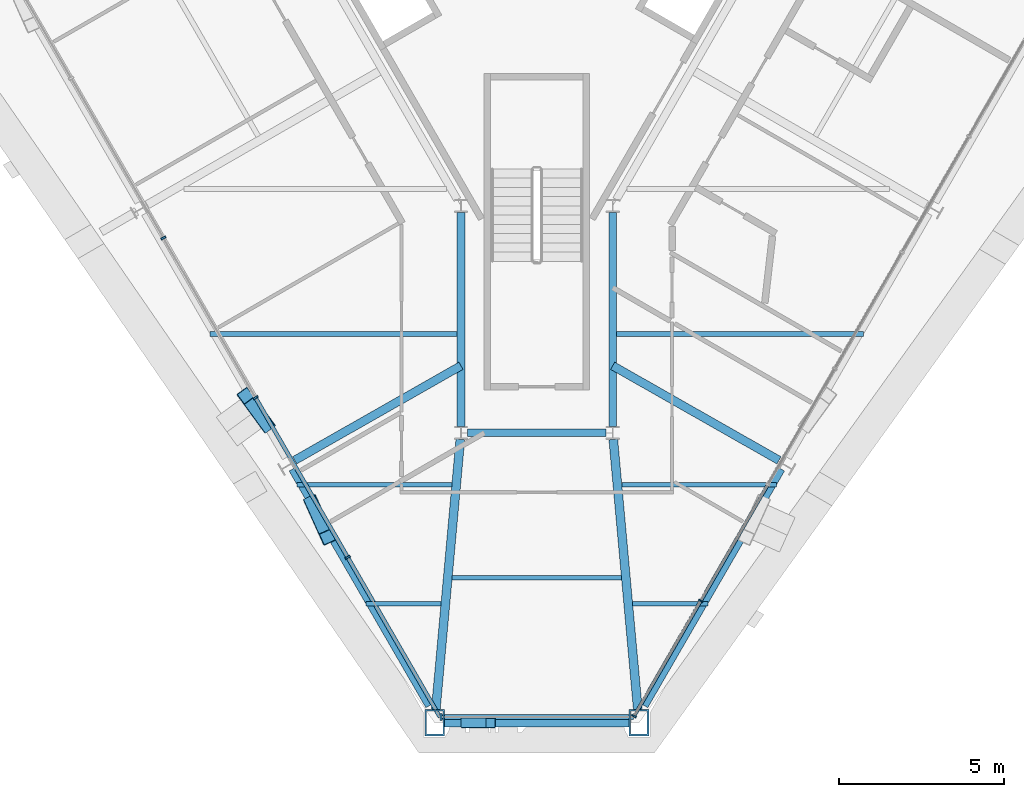
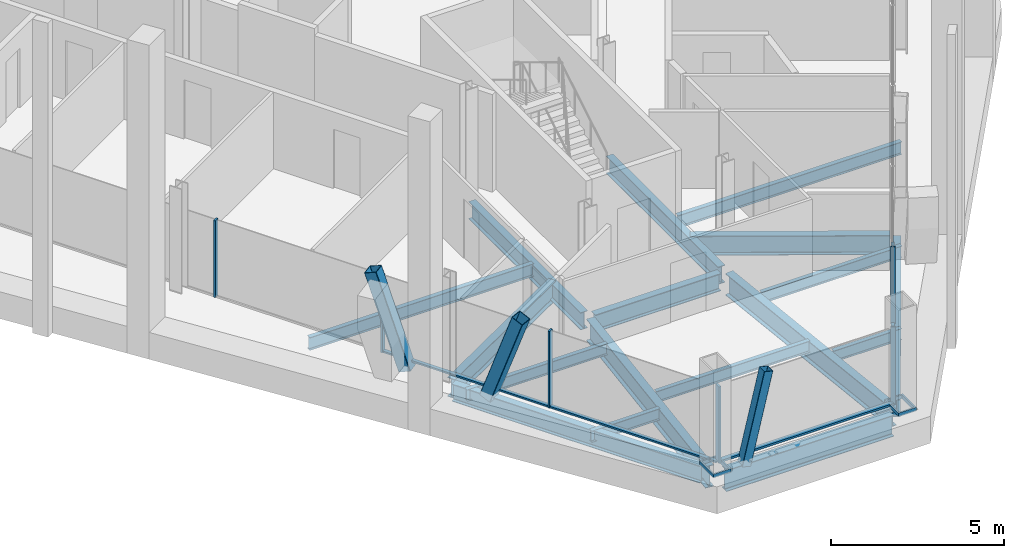
# One storey, part 3 of 16: 17 beams, 16 members, 3 elements without a shape of their own.
"""IFC4 building model written with IfcOpenShell, lengths in metres."""

from ifc_helpers import new_model, si_unit, direction, frame, origin, origin_2d, place, context, subcontext, project, spatial, rectangle, hollow_rectangle, i_section, extrude, material, material_profile, profile_set, type_object, element, aggregate, save


model = new_model("IFC4")

# Units and contexts
model_context = context("Model", 3, precision=1e-05, world=origin(), true_north=direction((0.0, 1.0)))
body_context = subcontext(model_context, "Body", "Model", "MODEL_VIEW")
ifc_project = project(units=[si_unit("LENGTHUNIT", "METRE"), si_unit("AREAUNIT", "SQUARE_METRE"), si_unit("VOLUMEUNIT", "CUBIC_METRE"), si_unit("PLANEANGLEUNIT", "RADIAN"), si_unit("MASSUNIT", "GRAM", prefix="KILO")], contexts=[model_context])

# Site, building, storey
site_placement = place(None, origin())
site = spatial("IfcSite", under=ifc_project, at=site_placement, CompositionType="ELEMENT")
building_placement = place(site_placement, origin())
building = spatial("IfcBuilding", under=site, at=building_placement, Name="Verrane Prism Tower", CompositionType="ELEMENT")
storey_placement = place(building_placement, frame((0.0, 0.0, 236.0)))
storey = spatial("IfcBuildingStorey", under=building, at=storey_placement, Name="L59", CompositionType="ELEMENT", Elevation=236.0)

# Member
ifc_material_1 = material(Name="Steel A500 Grade C", Category="steel")
ifc_material_profile_1 = material_profile(ifc_material_1, hollow_rectangle(XDim=0.3046875, YDim=0.3046875, WallThickness=0.0126953125, InnerFilletRadius=0.00634765625, OuterFilletRadius=0.01904296875, at=origin_2d()), Name="HSS12x12x1/2")
ifc_profile_set_1 = profile_set([ifc_material_profile_1], Name="Steel A500 Grade C")
member_type_1 = type_object("IfcMemberType", Name="Chamfer brace HSS12x12x1/2", PredefinedType="BRACE", material=ifc_profile_set_1)
member_1_placement = place(storey_placement, frame((-2.1435546875, -27.68994140625, -0.24267578125), z_axis=(0.232835531532, 0.0, 0.972516125962), x_axis=(0.0, 1.0, 0.0)))
element("IfcMember", 1, at=member_1_placement, inside=storey, type_object=member_type_1, Name="Chamfer brace S0 L59", PredefinedType="BRACE", context=body_context, shape_type="SweptSolid", body=[
    extrude(hollow_rectangle(XDim=0.3046875, YDim=0.3046875, WallThickness=0.0126953125, InnerFilletRadius=0.00634765625, OuterFilletRadius=0.01904296875, at=origin_2d()), origin(), (0.0, 0.0, 1.0), 3.196044921875),
])

# Beams
ifc_material_2 = material(Name="Steel A992", Category="steel")
ifc_material_profile_2 = material_profile(ifc_material_2, i_section(OverallWidth=0.2666015625, OverallDepth=0.7568359375, WebThickness=0.013916015625, FlangeThickness=0.019287109375, FilletRadius=0.0166015625, at=origin_2d()), Name="W30x108")
ifc_profile_set_2 = profile_set([ifc_material_profile_2], Name="Steel A992")
beam_type_1 = type_object("IfcBeamType", Name="Chamfer spandrel beam W30x108", PredefinedType="SPANDREL", material=ifc_profile_set_2)
beam_1_placement = place(storey_placement, frame((-2.800048828125, -27.68994140625, -0.53857421875), z_axis=(1.0, 0.0, 0.0), x_axis=(0.0, 1.0, 0.0)))
element("IfcBeam", 2, at=beam_1_placement, inside=storey, type_object=beam_type_1, Name="Chamfer spandrel beam L59", PredefinedType="SPANDREL", context=body_context, shape_type="SweptSolid", body=[
    extrude(i_section(OverallWidth=0.2666015625, OverallDepth=0.7568359375, WebThickness=0.013916015625, FlangeThickness=0.019287109375, FilletRadius=0.0166015625, at=origin_2d()), origin(), (0.0, 0.0, 1.0), 5.60009765625),
])
ifc_material_3 = material(Name="Steel A992", Category="steel")
ifc_material_profile_3 = material_profile(ifc_material_3, i_section(OverallWidth=0.23046875, OverallDepth=0.6171875, WebThickness=0.01318359375, FlangeThickness=0.022216796875, FilletRadius=0.012939453125, at=origin_2d()), Name="W24x94")
ifc_profile_set_3 = profile_set([ifc_material_profile_3], Name="Steel A992")
beam_type_2 = type_object("IfcBeamType", Name="Core ring girder W24x94", PredefinedType="BEAM", material=ifc_profile_set_3)
beam_2_placement = place(storey_placement, frame((-2.300048828125, -12.212890625, -0.55859375), z_axis=(0.0, -1.0, 0.0), x_axis=(1.0, 0.0, 0.0)))
element("IfcBeam", 3, at=beam_2_placement, inside=storey, type_object=beam_type_2, Name="Core ring girder L59", PredefinedType="BEAM", context=body_context, shape_type="SweptSolid", body=[
    extrude(i_section(OverallWidth=0.23046875, OverallDepth=0.6171875, WebThickness=0.01318359375, FlangeThickness=0.022216796875, FilletRadius=0.012939453125, at=origin_2d()), origin(), (0.0, 0.0, 1.0), 6.48779296875),
])
beam_3_placement = place(storey_placement, frame((-2.099365234375, -18.89990234375, -0.55859375), z_axis=(1.0, 0.0, 0.0), x_axis=(0.0, 1.0, 0.0)))
element("IfcBeam", 4, at=beam_3_placement, inside=storey, type_object=beam_type_2, Name="Core ring girder L59", PredefinedType="BEAM", context=body_context, shape_type="SweptSolid", body=[
    extrude(i_section(OverallWidth=0.23046875, OverallDepth=0.6171875, WebThickness=0.01318359375, FlangeThickness=0.022216796875, FilletRadius=0.012939453125, at=origin_2d()), origin(), (0.0, 0.0, 1.0), 4.19873046875),
])
beam_4_placement = place(storey_placement, frame((2.300048828125, -18.70068359375, -0.55859375), z_axis=(0.0, 1.0, 0.0), x_axis=(-1.0, 0.0, 0.0)))
element("IfcBeam", 5, at=beam_4_placement, inside=storey, type_object=beam_type_2, Name="Core ring girder L59", PredefinedType="BEAM", context=body_context, shape_type="SweptSolid", body=[
    extrude(i_section(OverallWidth=0.23046875, OverallDepth=0.6171875, WebThickness=0.01318359375, FlangeThickness=0.022216796875, FilletRadius=0.012939453125, at=origin_2d()), origin(), (0.0, 0.0, 1.0), 6.48779296875),
])
ifc_material_4 = material(Name="Steel A992", Category="steel")
ifc_material_profile_4 = material_profile(ifc_material_4, i_section(OverallWidth=0.2666015625, OverallDepth=0.76708984375, WebThickness=0.014892578125, FlangeThickness=0.023681640625, FilletRadius=0.0166015625, at=origin_2d()), Name="W30x124")
ifc_profile_set_4 = profile_set([ifc_material_profile_4], Name="Steel A992")
beam_type_3 = type_object("IfcBeamType", Name="Corner girder W30x124", PredefinedType="BEAM", material=ifc_profile_set_4)
for number, where, z_axis, x_axis, name in (
    (6, (-3.063720703125, -27.2900390625, -0.603515625), (0.090656186222, 0.995882250017, 0.0), (-0.995882250017, 0.090656186222, 0.0), "Corner girder L59"),
    (7, (3.063720703125, -27.2900390625, -0.603515625), (-0.090656186222, 0.995882250017, 0.0), (-0.995882250017, -0.090656186222, 0.0), "Corner girder L59"),
):
    element("IfcBeam", number, at=place(storey_placement, frame(where, z_axis=z_axis, x_axis=x_axis)), inside=storey, type_object=beam_type_3, Name=name, PredefinedType="BEAM", context=body_context, shape_type="SweptSolid", body=[
        extrude(i_section(OverallWidth=0.2666015625, OverallDepth=0.76708984375, WebThickness=0.014892578125, FlangeThickness=0.023681640625, FilletRadius=0.0166015625, at=origin_2d()), origin(), (0.0, 0.0, 1.0), 8.224609375),
    ])

# Members
ifc_material_5 = material(Name="Steel A500 Grade C", Category="steel")
ifc_material_profile_5 = material_profile(ifc_material_5, hollow_rectangle(XDim=0.406494140625, YDim=0.406494140625, WallThickness=0.01904296875, InnerFilletRadius=0.009521484375, OuterFilletRadius=0.028564453125, at=origin_2d()), Name="HSS16x16x3/4")
ifc_profile_set_5 = profile_set([ifc_material_profile_5], Name="Steel A500 Grade C")
member_type_2 = type_object("IfcMemberType", Name="Facade brace HSS16x16x3/4", PredefinedType="BRACE", material=ifc_profile_set_5)
member_2_placement = place(storey_placement, frame((-8.18994140625, -18.6474609375, -0.216796875), z_axis=(-0.188978192482, 0.259012989696, 0.947206162319), x_axis=(-0.807837409628, -0.589405394958, 0.0)))
element("IfcMember", 8, at=member_2_placement, inside=storey, type_object=member_type_2, Name="Facade brace SW3 L59", PredefinedType="BRACE", context=body_context, shape_type="SweptSolid", body=[
    extrude(hollow_rectangle(XDim=0.406494140625, YDim=0.406494140625, WallThickness=0.01904296875, InnerFilletRadius=0.009521484375, OuterFilletRadius=0.028564453125, at=origin_2d()), origin(), (0.0, 0.0, 1.0), 3.37451171875),
])
member_3_placement = place(storey_placement, frame((-6.824462890625, -21.012451171875, -0.216796875), z_axis=(0.138988500979, -0.308951171514, 0.940867349957), x_axis=(0.911965161742, 0.410267648944, 0.0)))
element("IfcMember", 9, at=member_3_placement, inside=storey, type_object=member_type_2, Name="Facade brace SW4 L59", PredefinedType="BRACE", context=body_context, shape_type="SweptSolid", body=[
    extrude(hollow_rectangle(XDim=0.406494140625, YDim=0.406494140625, WallThickness=0.01904296875, InnerFilletRadius=0.009521484375, OuterFilletRadius=0.028564453125, at=origin_2d()), origin(), (0.0, 0.0, 1.0), 3.397216796875),
])

# Beams
ifc_material_6 = material(Name="Steel A992", Category="steel")
ifc_material_profile_6 = material_profile(ifc_material_6, i_section(OverallWidth=0.140380859375, OverallDepth=0.40380859375, WebThickness=0.007080078125, FlangeThickness=0.01123046875, FilletRadius=0.01025390625, at=origin_2d()), Name="W16x31")
ifc_profile_set_6 = profile_set([ifc_material_profile_6], Name="Steel A992")
beam_type_4 = type_object("IfcBeamType", Name="Floor beam W16x31", PredefinedType="BEAM", material=ifc_profile_set_6)
beam_5_placement = place(storey_placement, frame((-5.18408203125, -24.083251953125, -0.36181640625), z_axis=(1.0, 0.0, 0.0), x_axis=(0.0, 1.0, 0.0)))
element("IfcBeam", 10, at=beam_5_placement, inside=storey, type_object=beam_type_4, Name="Floor beam L59", PredefinedType="BEAM", context=body_context, shape_type="SweptSolid", body=[
    extrude(i_section(OverallWidth=0.140380859375, OverallDepth=0.40380859375, WebThickness=0.007080078125, FlangeThickness=0.01123046875, FilletRadius=0.01025390625, at=origin_2d()), origin(), (0.0, 0.0, 1.0), 2.2783203125),
])
beam_6_placement = place(storey_placement, frame((-7.268310546875, -20.476806640625, -0.36181640625), z_axis=(1.0, 0.0, 0.0), x_axis=(0.0, 1.0, 0.0)))
element("IfcBeam", 11, at=beam_6_placement, inside=storey, type_object=beam_type_4, Name="Floor beam L59", PredefinedType="BEAM", context=body_context, shape_type="SweptSolid", body=[
    extrude(i_section(OverallWidth=0.140380859375, OverallDepth=0.40380859375, WebThickness=0.007080078125, FlangeThickness=0.01123046875, FilletRadius=0.01025390625, at=origin_2d()), origin(), (0.0, 0.0, 1.0), 4.69091796875),
])
beam_7_placement = place(storey_placement, frame((2.90576171875, -24.083251953125, -0.36181640625), z_axis=(1.0, 0.0, 0.0), x_axis=(0.0, 1.0, 0.0)))
element("IfcBeam", 12, at=beam_7_placement, inside=storey, type_object=beam_type_4, Name="Floor beam L59", PredefinedType="BEAM", context=body_context, shape_type="SweptSolid", body=[
    extrude(i_section(OverallWidth=0.140380859375, OverallDepth=0.40380859375, WebThickness=0.007080078125, FlangeThickness=0.01123046875, FilletRadius=0.01025390625, at=origin_2d()), origin(), (0.0, 0.0, 1.0), 2.2783203125),
])
beam_8_placement = place(storey_placement, frame((2.577392578125, -20.476806640625, -0.36181640625), z_axis=(1.0, 0.0, 0.0), x_axis=(0.0, 1.0, 0.0)))
element("IfcBeam", 13, at=beam_8_placement, inside=storey, type_object=beam_type_4, Name="Floor beam L59", PredefinedType="BEAM", context=body_context, shape_type="SweptSolid", body=[
    extrude(i_section(OverallWidth=0.140380859375, OverallDepth=0.40380859375, WebThickness=0.007080078125, FlangeThickness=0.01123046875, FilletRadius=0.01025390625, at=origin_2d()), origin(), (0.0, 0.0, 1.0), 4.69091796875),
])
beam_9_placement = place(storey_placement, frame((-2.56591796875, -23.294921875, -0.36181640625), z_axis=(1.0, 0.0, 0.0), x_axis=(0.0, 1.0, 0.0)))
element("IfcBeam", 14, at=beam_9_placement, inside=storey, type_object=beam_type_4, Name="Floor beam L59", PredefinedType="BEAM", context=body_context, shape_type="SweptSolid", body=[
    extrude(i_section(OverallWidth=0.140380859375, OverallDepth=0.40380859375, WebThickness=0.007080078125, FlangeThickness=0.01123046875, FilletRadius=0.01025390625, at=origin_2d()), origin(), (0.0, 0.0, 1.0), 5.1318359375),
])
ifc_material_7 = material(Name="Steel A992", Category="steel")
ifc_material_profile_7 = material_profile(ifc_material_7, i_section(OverallWidth=0.15234375, OverallDepth=0.449462890625, WebThickness=0.007568359375, FlangeThickness=0.0107421875, FilletRadius=0.01025390625, at=origin_2d()), Name="W18x35")
ifc_profile_set_7 = profile_set([ifc_material_profile_7], Name="Steel A992")
beam_type_5 = type_object("IfcBeamType", Name="Floor beam W18x35", PredefinedType="BEAM", material=ifc_profile_set_7)
for number, where, z_axis, x_axis, name in (
    (15, (-9.902099609375, -15.909912109375, -0.384765625), (1.0, 0.0, 0.0), (0.0, 1.0, 0.0), "Floor beam L59"),
    (16, (2.4150390625, -15.909912109375, -0.384765625), (1.0, 0.0, 0.0), (0.0, 1.0, 0.0), "Floor beam L59"),
):
    element("IfcBeam", number, at=place(storey_placement, frame(where, z_axis=z_axis, x_axis=x_axis)), inside=storey, type_object=beam_type_5, Name=name, PredefinedType="BEAM", context=body_context, shape_type="SweptSolid", body=[
        extrude(i_section(OverallWidth=0.15234375, OverallDepth=0.449462890625, WebThickness=0.007568359375, FlangeThickness=0.0107421875, FilletRadius=0.01025390625, at=origin_2d()), origin(), (0.0, 0.0, 1.0), 7.487060546875),
    ])

# Members
ifc_material_8 = material(Name="Steel A572 Grade 50", Category="steel")
ifc_material_profile_8 = material_profile(ifc_material_8, hollow_rectangle(XDim=0.60009765625, YDim=0.800048828125, WallThickness=0.050048828125, at=origin_2d()), Name="BOX 800x600x50")
ifc_profile_set_8 = profile_set([ifc_material_profile_8], Name="Steel A572 Grade 50")
member_type_3 = type_object("IfcMemberType", Name="Kink node BOX 800x600x50", PredefinedType="COLLAR", material=ifc_profile_set_8)
for number, where, z_axis, x_axis, name in (
    (17, (-3.096435546875, -27.683837890625, -0.06494140625), (0.0, 0.0, 1.0), (-1.0, 0.0, 0.0), "Kink node MC4 L59"),
    (18, (3.096435546875, -27.683837890625, -0.06494140625), (0.0, 0.0, 1.0), (-1.0, 0.0, 0.0), "Kink node MC4 L59"),
):
    element("IfcMember", number, at=place(storey_placement, frame(where, z_axis=z_axis, x_axis=x_axis)), inside=storey, type_object=member_type_3, Name=name, PredefinedType="COLLAR", context=body_context, shape_type="SweptSolid", body=[
        extrude(hollow_rectangle(XDim=0.60009765625, YDim=0.800048828125, WallThickness=0.050048828125, at=origin_2d()), origin(), (0.0, 0.0, 1.0), 0.1298828125),
    ])

# Curtain wall, members
ifc_material_9 = material(Name="Aluminium framed insulated glazing", Category="aluminium")
curtain_wall_type_1 = type_object("IfcCurtainWallType", Name="Curtain wall CW-C 4200 module", PredefinedType="NOTDEFINED", material=ifc_material_9)
curtain_wall_1_placement = place(storey_placement, origin())
curtain_wall_1 = element("IfcCurtainWall", 19, at=curtain_wall_1_placement, inside=storey, type_object=curtain_wall_type_1, Name="Glazed curtain wall south-east face L59", PredefinedType="NOTDEFINED")
ifc_material_10 = material(Name="Aluminium alloy 6063-T6", Category="aluminium")
ifc_material_profile_9 = material_profile(ifc_material_10, rectangle(XDim=0.139892578125, YDim=0.050048828125, at=origin_2d()), Name="Mullion 50x140 aluminium")
ifc_profile_set_9 = profile_set([ifc_material_profile_9], Name="Aluminium alloy 6063-T6")
member_type_4 = type_object("IfcMemberType", Name="Mullion 50x140 aluminium", PredefinedType="MULLION", material=ifc_profile_set_9)
member_4_placement = place(storey_placement, frame((2.950439453125, -27.493408203125, 0.0), z_axis=(0.0, 0.0, 1.0), x_axis=(-0.866025759098, 0.499999384578, 0.0)))
member_4 = element("IfcMember", 20, at=member_4_placement, type_object=member_type_4, Name="CW59.6 mullion 1", PredefinedType="MULLION", context=body_context, shape_type="SweptSolid", body=[
    extrude(rectangle(XDim=0.139892578125, YDim=0.050048828125, at=origin_2d()), origin(), (0.0, 0.0, 1.0), 2.712890625),
])
member_5_placement = place(storey_placement, frame((4.970703125, -23.994140625, 0.0), z_axis=(0.0, 0.0, 1.0), x_axis=(-0.866025759098, 0.499999384578, 0.0)))
member_5 = element("IfcMember", 21, at=member_5_placement, type_object=member_type_4, Name="CW59.6 mullion 2", PredefinedType="MULLION", context=body_context, shape_type="SweptSolid", body=[
    extrude(rectangle(XDim=0.139892578125, YDim=0.050048828125, at=origin_2d()), origin(), (0.0, 0.0, 1.0), 2.712890625),
])

ifc_material_11 = material(Name="Aluminium framed insulated glazing", Category="aluminium")
curtain_wall_type_2 = type_object("IfcCurtainWallType", Name="Curtain wall CW-B 5600 module", PredefinedType="NOTDEFINED", material=ifc_material_11)
curtain_wall_2_placement = place(storey_placement, origin())
curtain_wall_2 = element("IfcCurtainWall", 22, at=curtain_wall_2_placement, inside=storey, type_object=curtain_wall_type_2, Name="Glazed curtain wall south-west face L59", PredefinedType="NOTDEFINED")
ifc_material_12 = material(Name="Aluminium alloy 6063-T6", Category="aluminium")
ifc_material_profile_10 = material_profile(ifc_material_12, rectangle(XDim=0.159912109375, YDim=0.06005859375, at=origin_2d()), Name="Mullion 60x160 aluminium")
ifc_profile_set_10 = profile_set([ifc_material_profile_10], Name="Aluminium alloy 6063-T6")
member_type_5 = type_object("IfcMemberType", Name="Mullion 60x160 aluminium", PredefinedType="MULLION", material=ifc_profile_set_10)
member_6_placement = place(storey_placement, frame((-11.32275390625, -12.991943359375, 0.0), z_axis=(0.0, 0.0, 1.0), x_axis=(0.866025759098, 0.499999384578, 0.0)))
member_6 = element("IfcMember", 23, at=member_6_placement, type_object=member_type_5, Name="CW59.4 mullion 6", PredefinedType="MULLION", context=body_context, shape_type="SweptSolid", body=[
    extrude(rectangle(XDim=0.159912109375, YDim=0.06005859375, at=origin_2d()), origin(), (0.0, 0.0, 1.0), 2.712890625),
])
member_7_placement = place(storey_placement, frame((-8.52783203125, -17.8330078125, 0.0), z_axis=(0.0, 0.0, 1.0), x_axis=(0.866025759098, 0.499999384578, 0.0)))
member_7 = element("IfcMember", 24, at=member_7_placement, type_object=member_type_5, Name="CW59.4 mullion 7", PredefinedType="MULLION", context=body_context, shape_type="SweptSolid", body=[
    extrude(rectangle(XDim=0.159912109375, YDim=0.06005859375, at=origin_2d()), origin(), (0.0, 0.0, 1.0), 2.712890625),
])
member_8_placement = place(storey_placement, frame((-5.73291015625, -22.674072265625, 0.0), z_axis=(0.0, 0.0, 1.0), x_axis=(0.866025759098, 0.499999384578, 0.0)))
member_8 = element("IfcMember", 25, at=member_8_placement, type_object=member_type_5, Name="CW59.4 mullion 8", PredefinedType="MULLION", context=body_context, shape_type="SweptSolid", body=[
    extrude(rectangle(XDim=0.159912109375, YDim=0.06005859375, at=origin_2d()), origin(), (0.0, 0.0, 1.0), 2.712890625),
])

# Curtain wall, member
ifc_material_13 = material(Name="Aluminium framed insulated glazing", Category="aluminium")
curtain_wall_type_3 = type_object("IfcCurtainWallType", Name="Curtain wall CW-A 8400 module", PredefinedType="NOTDEFINED", material=ifc_material_13)
curtain_wall_3_placement = place(storey_placement, origin())
curtain_wall_3 = element("IfcCurtainWall", 26, at=curtain_wall_3_placement, inside=storey, type_object=curtain_wall_type_3, Name="Glazed curtain wall south corner L59", PredefinedType="NOTDEFINED")
ifc_material_14 = material(Name="Aluminium alloy 6063-T6", Category="aluminium")
ifc_material_profile_11 = material_profile(ifc_material_14, rectangle(XDim=0.199951171875, YDim=0.070068359375, at=origin_2d()), Name="Mullion 70x200 aluminium")
ifc_profile_set_11 = profile_set([ifc_material_profile_11], Name="Aluminium alloy 6063-T6")
member_type_6 = type_object("IfcMemberType", Name="Mullion 70x200 aluminium", PredefinedType="MULLION", material=ifc_profile_set_11)
member_9_placement = place(storey_placement, frame((-2.90283203125, -27.514892578125, 0.0), z_axis=(0.0, 0.0, 1.0), x_axis=(0.0, 1.0, 0.0)))
member_9 = element("IfcMember", 27, at=member_9_placement, type_object=member_type_6, Name="CW59.5 mullion 1", PredefinedType="MULLION", context=body_context, shape_type="SweptSolid", body=[
    extrude(rectangle(XDim=0.199951171875, YDim=0.070068359375, at=origin_2d()), origin(), (0.0, 0.0, 1.0), 2.712890625),
])

# Beams
ifc_material_15 = material(Name="Steel A992", Category="steel")
ifc_material_profile_12 = material_profile(ifc_material_15, i_section(OverallWidth=0.25390625, OverallDepth=0.683349609375, WebThickness=0.012451171875, FlangeThickness=0.01904296875, FilletRadius=0.01513671875, at=origin_2d()), Name="W27x94")
ifc_profile_set_12 = profile_set([ifc_material_profile_12], Name="Steel A992")
beam_type_6 = type_object("IfcBeamType", Name="Radial girder W27x94", PredefinedType="BEAM", material=ifc_profile_set_12)
for number, where, z_axis, x_axis, name in (
    (28, (-7.34130859375, -19.732421875, -0.5615234375), (0.869282670336, 0.494315323507, 0.0), (-0.494315323507, 0.869282670336, 0.0), "Radial girder L59"),
    (29, (7.34130859375, -19.732421875, -0.5615234375), (-0.869282670336, 0.494315323507, 0.0), (-0.494315323507, -0.869282670336, 0.0), "Radial girder L59"),
):
    element("IfcBeam", number, at=place(storey_placement, frame(where, z_axis=z_axis, x_axis=x_axis)), inside=storey, type_object=beam_type_6, Name=name, PredefinedType="BEAM", context=body_context, shape_type="SweptSolid", body=[
        extrude(i_section(OverallWidth=0.25390625, OverallDepth=0.683349609375, WebThickness=0.012451171875, FlangeThickness=0.01904296875, FilletRadius=0.01513671875, at=origin_2d()), origin(), (0.0, 0.0, 1.0), 5.79931640625),
    ])
ifc_material_16 = material(Name="Steel A992", Category="steel")
ifc_material_profile_13 = material_profile(ifc_material_16, i_section(OverallWidth=0.23046875, OverallDepth=0.6171875, WebThickness=0.01318359375, FlangeThickness=0.022216796875, FilletRadius=0.012939453125, at=origin_2d()), Name="W24x94")
ifc_profile_set_13 = profile_set([ifc_material_profile_13], Name="Steel A992")
beam_type_7 = type_object("IfcBeamType", Name="Spandrel beam W24x94", PredefinedType="SPANDREL", material=ifc_profile_set_13)
for number, where, z_axis, x_axis, name in (
    (30, (-7.409423828125, -20.000244140625, -0.468505859375), (0.500331103681, -0.865834156573, 0.0), (0.865834156573, 0.500331103681, 0.0), "Spandrel beam L59"),
    (31, (3.263671875, -27.174560546875, -0.468505859375), (0.500331103681, 0.865834156573, 0.0), (-0.865834156573, 0.500331103681, 0.0), "Spandrel beam L59"),
):
    element("IfcBeam", number, at=place(storey_placement, frame(where, z_axis=z_axis, x_axis=x_axis)), inside=storey, type_object=beam_type_7, Name=name, PredefinedType="SPANDREL", context=body_context, shape_type="SweptSolid", body=[
        extrude(i_section(OverallWidth=0.23046875, OverallDepth=0.6171875, WebThickness=0.01318359375, FlangeThickness=0.022216796875, FilletRadius=0.012939453125, at=origin_2d()), origin(), (0.0, 0.0, 1.0), 8.2861328125),
    ])

# Member
ifc_material_17 = material(Name="Aluminium alloy 6063-T6", Category="aluminium")
ifc_material_profile_14 = material_profile(ifc_material_17, rectangle(XDim=0.10009765625, YDim=0.050048828125, at=origin_2d()), Name="Transom 50x100 aluminium")
ifc_profile_set_14 = profile_set([ifc_material_profile_14], Name="Aluminium alloy 6063-T6")
member_type_7 = type_object("IfcMemberType", Name="Transom 50x100 aluminium", PredefinedType="USERDEFINED", material=ifc_profile_set_14)
member_10_placement = place(storey_placement, frame((2.962890625, -27.4716796875, 0.02490234375), z_axis=(0.499981963631, 0.866035816837, 0.0), x_axis=(-0.866035816837, 0.499981963631, 0.0)))
member_10 = element("IfcMember", 32, at=member_10_placement, type_object=member_type_7, Name="CW59.6 transom 1", ObjectType="TRANSOM", PredefinedType="USERDEFINED", context=body_context, shape_type="SweptSolid", body=[
    extrude(rectangle(XDim=0.10009765625, YDim=0.050048828125, at=origin_2d()), origin(), (0.0, 0.0, 1.0), 3.990478515625),
])

member_11_placement = place(storey_placement, frame((4.983154296875, -23.97265625, 0.02490234375), z_axis=(0.499964557259, 0.866045865693, 0.0), x_axis=(-0.866045865693, 0.499964557259, 0.0)))
member_11 = element("IfcMember", 33, at=member_11_placement, type_object=member_type_7, Name="CW59.6 transom 2", ObjectType="TRANSOM", PredefinedType="USERDEFINED", context=body_context, shape_type="SweptSolid", body=[
    extrude(rectangle(XDim=0.10009765625, YDim=0.050048828125, at=origin_2d()), origin(), (0.0, 0.0, 1.0), 4.015380859375),
])

aggregate(curtain_wall_1, [member_4, member_5, member_10, member_11])

ifc_material_18 = material(Name="Aluminium alloy 6063-T6", Category="aluminium")
ifc_material_profile_15 = material_profile(ifc_material_18, rectangle(XDim=0.1201171875, YDim=0.06005859375, at=origin_2d()), Name="Transom 60x120 aluminium")
ifc_profile_set_15 = profile_set([ifc_material_profile_15], Name="Aluminium alloy 6063-T6")
member_type_8 = type_object("IfcMemberType", Name="Transom 60x120 aluminium", PredefinedType="USERDEFINED", material=ifc_profile_set_15)
member_12_placement = place(storey_placement, frame((-8.512939453125, -17.85888671875, 0.030029296875), z_axis=(0.50002308228, -0.866012076814, 0.0), x_axis=(0.866012076814, 0.50002308228, 0.0)))
member_12 = element("IfcMember", 34, at=member_12_placement, type_object=member_type_8, Name="CW59.4 transom 7", ObjectType="TRANSOM", PredefinedType="USERDEFINED", context=body_context, shape_type="SweptSolid", body=[
    extrude(rectangle(XDim=0.1201171875, YDim=0.06005859375, at=origin_2d()), origin(), (0.0, 0.0, 1.0), 5.530029296875),
])

member_13_placement = place(storey_placement, frame((-5.7177734375, -22.699951171875, 0.030029296875), z_axis=(0.499983466698, -0.86603494908, 0.0), x_axis=(0.86603494908, 0.499983466698, 0.0)))
member_13 = element("IfcMember", 35, at=member_13_placement, type_object=member_type_8, Name="CW59.4 transom 8", ObjectType="TRANSOM", PredefinedType="USERDEFINED", context=body_context, shape_type="SweptSolid", body=[
    extrude(rectangle(XDim=0.1201171875, YDim=0.06005859375, at=origin_2d()), origin(), (0.0, 0.0, 1.0), 5.559814453125),
])

aggregate(curtain_wall_2, [member_6, member_7, member_8, member_12, member_13])

ifc_material_19 = material(Name="Aluminium alloy 6063-T6", Category="aluminium")
ifc_material_profile_16 = material_profile(ifc_material_19, rectangle(XDim=0.14990234375, YDim=0.070068359375, at=origin_2d()), Name="Transom 70x150 aluminium")
ifc_profile_set_16 = profile_set([ifc_material_profile_16], Name="Aluminium alloy 6063-T6")
member_type_9 = type_object("IfcMemberType", Name="Transom 70x150 aluminium", PredefinedType="USERDEFINED", material=ifc_profile_set_16)
member_14_placement = place(storey_placement, frame((-2.867919921875, -27.514892578125, 0.034912109375), z_axis=(1.0, 0.0, 0.0), x_axis=(0.0, 1.0, 0.0)))
member_14 = element("IfcMember", 36, at=member_14_placement, type_object=member_type_9, Name="CW59.5 transom 1", ObjectType="TRANSOM", PredefinedType="USERDEFINED", context=body_context, shape_type="SweptSolid", body=[
    extrude(rectangle(XDim=0.14990234375, YDim=0.070068359375, at=origin_2d()), origin(), (0.0, 0.0, 1.0), 5.805908203125),
])

aggregate(curtain_wall_3, [member_9, member_14])

save(model, "model.ifc")
